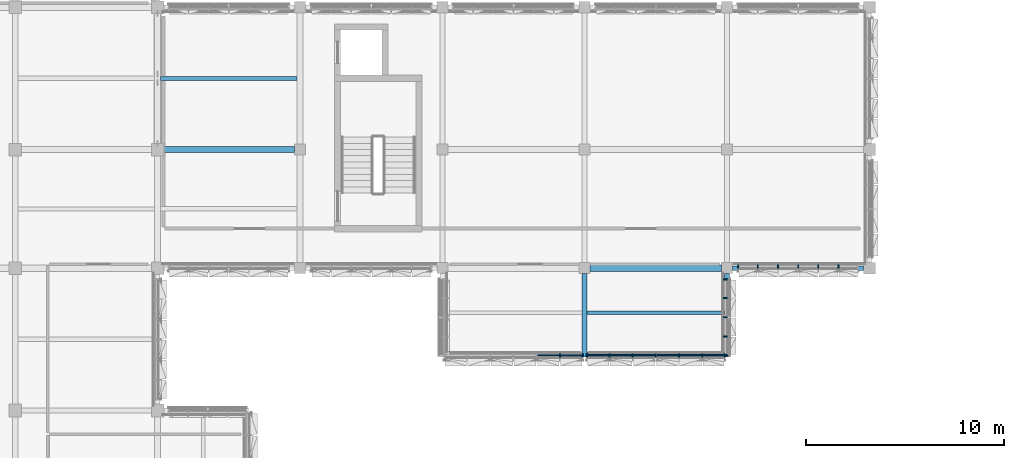
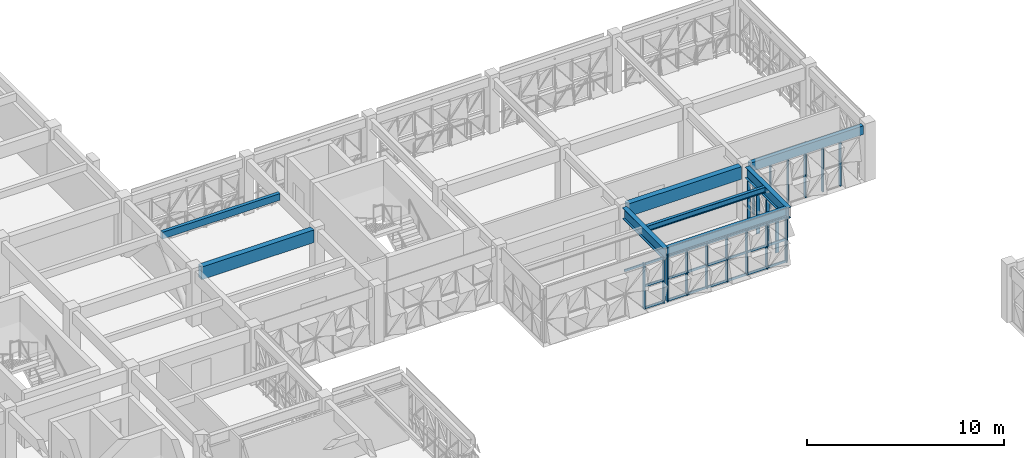
# One storey, part 9 of 85: 42 members, 8 beams, 4 elements without a shape of their own.
"""IFC4 building model written with IfcOpenShell, lengths in metres."""

from ifc_helpers import new_model, si_unit, direction, frame, origin, origin_2d, place, context, subcontext, project, spatial, rectangle, i_section, extrude, material, material_profile, profile_set, type_object, element, aggregate, save


model = new_model("IFC4")

# Units and contexts
model_context = context("Model", 3, precision=1e-05, world=origin(), true_north=direction((0.0, 1.0)))
body_context = subcontext(model_context, "Body", "Model", "MODEL_VIEW")
ifc_project = project(units=[si_unit("LENGTHUNIT", "METRE"), si_unit("AREAUNIT", "SQUARE_METRE"), si_unit("VOLUMEUNIT", "CUBIC_METRE"), si_unit("PLANEANGLEUNIT", "RADIAN"), si_unit("MASSUNIT", "GRAM", prefix="KILO")], contexts=[model_context])

# Site, building, storey
site_placement = place(None, origin())
site = spatial("IfcSite", under=ifc_project, at=site_placement, CompositionType="ELEMENT")
building_placement = place(site_placement, origin())
building = spatial("IfcBuilding", under=site, at=building_placement, Name="Alvorim Cloister Faculty of Sciences", CompositionType="ELEMENT")
storey_placement = place(building_placement, frame((0.0, 0.0, 8.550048828125)))
storey = spatial("IfcBuildingStorey", under=building, at=storey_placement, Name="L02", CompositionType="ELEMENT", Elevation=8.550048828125)

# Beams
ifc_material_1 = material(Name="Glulam GL32h", Category="wood")
ifc_material_profile_1 = material_profile(ifc_material_1, rectangle(XDim=0.320068359375, YDim=0.780029296875, at=origin_2d()), Name="GL32-BM-320x780")
ifc_profile_set_1 = profile_set([ifc_material_profile_1], Name="Glulam GL32h")
beam_type_1 = type_object("IfcBeamType", Name="BM-GL-320x780", PredefinedType="BEAM", material=ifc_profile_set_1)
beam_1_placement = place(storey_placement, frame((50.679931640625, 43.199951171875, 3.0), z_axis=(1.0, 0.0, 0.0), x_axis=(0.0, 1.0, 0.0)))
element("IfcBeam", 1, at=beam_1_placement, inside=storey, type_object=beam_type_1, Name="L02 Primary Beam BM-1295", PredefinedType="BEAM", context=body_context, shape_type="SweptSolid", body=[
    extrude(rectangle(XDim=0.320068359375, YDim=0.780029296875, at=origin_2d()), origin(), (0.0, 0.0, 1.0), 6.64013671875),
])
beam_2_placement = place(storey_placement, frame((29.1201171875, 49.199951171875, 3.0), z_axis=(1.0, 0.0, 0.0), x_axis=(0.0, 1.0, 0.0)))
element("IfcBeam", 2, at=beam_2_placement, inside=storey, type_object=beam_type_1, Name="L02 Primary Beam BM-1299", PredefinedType="BEAM", context=body_context, shape_type="SweptSolid", body=[
    extrude(rectangle(XDim=0.320068359375, YDim=0.780029296875, at=origin_2d()), origin(), (0.0, 0.0, 1.0), 6.599853515625),
])
ifc_material_2 = material(Name="Glulam GL28h", Category="wood")
ifc_material_profile_2 = material_profile(ifc_material_2, rectangle(XDim=0.199951171875, YDim=0.419921875, at=origin_2d()), Name="GL28-JST-200x420")
ifc_profile_set_2 = profile_set([ifc_material_profile_2], Name="Glulam GL28h")
beam_type_2 = type_object("IfcBeamType", Name="BM-JST-GL-200x420", PredefinedType="JOIST", material=ifc_profile_set_2)
beam_3_placement = place(storey_placement, frame((28.949951171875, 52.800048828125, 3.179931640625), z_axis=(1.0, 0.0, 0.0), x_axis=(0.0, 1.0, 0.0)))
element("IfcBeam", 3, at=beam_3_placement, inside=storey, type_object=beam_type_2, Name="L02 Secondary Floor Joist BM-1486", PredefinedType="JOIST", context=body_context, shape_type="SweptSolid", body=[
    extrude(rectangle(XDim=0.199951171875, YDim=0.419921875, at=origin_2d()), origin(), (0.0, 0.0, 1.0), 6.900146484375),
])
ifc_material_profile_3 = material_profile(ifc_material_2, rectangle(XDim=0.239990234375, YDim=0.5400390625, at=origin_2d()), Name="GL28-SPD-240x540")
ifc_profile_set_3 = profile_set([ifc_material_profile_3], Name="Glulam GL28h")
beam_type_3 = type_object("IfcBeamType", Name="BM-SPD-GL-240x540", PredefinedType="SPANDREL", material=ifc_profile_set_3)
beam_4_placement = place(storey_placement, frame((57.8798828125, 43.199951171875, 3.119873046875), z_axis=(1.0, 0.0, 0.0), x_axis=(0.0, 1.0, 0.0)))
element("IfcBeam", 4, at=beam_4_placement, inside=storey, type_object=beam_type_3, Name="L02 Primary Beam BM-1296", PredefinedType="SPANDREL", context=body_context, shape_type="SweptSolid", body=[
    extrude(rectangle(XDim=0.239990234375, YDim=0.5400390625, at=origin_2d()), origin(), (0.0, 0.0, 1.0), 6.6201171875),
])
ifc_material_3 = material(Name="Steel ASTM A572 Grade 50", Category="steel")
ifc_material_profile_4 = material_profile(ifc_material_3, i_section(OverallWidth=0.1708984375, OverallDepth=0.35498046875, WebThickness=0.007080078125, FlangeThickness=0.01171875, FilletRadius=0.012939453125, at=origin_2d()), Name="W360x51.0")
ifc_profile_set_4 = profile_set([ifc_material_profile_4], Name="Steel ASTM A572 Grade 50")
beam_type_4 = type_object("IfcBeamType", Name="BM-STL-W360", PredefinedType="JOIST", material=ifc_profile_set_4)
beam_5_placement = place(storey_placement, frame((50.510009765625, 40.949951171875, 3.21240234375), z_axis=(1.0, 0.0, 0.0), x_axis=(0.0, 1.0, 0.0)))
element("IfcBeam", 5, at=beam_5_placement, inside=storey, type_object=beam_type_4, Name="L02 Cantilever Deck Joist BM-0050", PredefinedType="JOIST", context=body_context, shape_type="SweptSolid", body=[
    extrude(i_section(OverallWidth=0.1708984375, OverallDepth=0.35498046875, WebThickness=0.007080078125, FlangeThickness=0.01171875, FilletRadius=0.012939453125, at=origin_2d()), origin(), (0.0, 0.0, 1.0), 6.97998046875),
])
ifc_material_profile_5 = material_profile(ifc_material_3, i_section(OverallWidth=0.208984375, OverallDepth=0.532958984375, WebThickness=0.01025390625, FlangeThickness=0.015625, FilletRadius=0.01611328125, at=origin_2d()), Name="W530x92.0")
ifc_profile_set_5 = profile_set([ifc_material_profile_5], Name="Steel ASTM A572 Grade 50")
beam_type_5 = type_object("IfcBeamType", Name="BM-STL-W530", PredefinedType="BEAM", material=ifc_profile_set_5)
beam_6_placement = place(storey_placement, frame((50.510009765625, 38.820068359375, 3.12353515625), z_axis=(1.0, 0.0, 0.0), x_axis=(0.0, 1.0, 0.0)))
element("IfcBeam", 6, at=beam_6_placement, inside=storey, type_object=beam_type_5, Name="L02 Cantilever Tip Header Girder BM-0049", PredefinedType="BEAM", context=body_context, shape_type="SweptSolid", body=[
    extrude(i_section(OverallWidth=0.208984375, OverallDepth=0.532958984375, WebThickness=0.01025390625, FlangeThickness=0.015625, FilletRadius=0.01611328125, at=origin_2d()), origin(), (0.0, 0.0, 1.0), 6.97998046875),
])
ifc_material_profile_6 = material_profile(ifc_material_3, i_section(OverallWidth=0.25390625, OverallDepth=0.68408203125, WebThickness=0.012451171875, FlangeThickness=0.01904296875, FilletRadius=0.01904296875, at=origin_2d()), Name="W690x140.0")
ifc_profile_set_6 = profile_set([ifc_material_profile_6], Name="Steel ASTM A572 Grade 50")
beam_type_6 = type_object("IfcBeamType", Name="BM-STL-W690", PredefinedType="BEAM", material=ifc_profile_set_6)
for number, where, z_axis, x_axis, name in (
    (7, (50.39990234375, 38.699951171875, 3.0478515625), (0.0, 1.0, 0.0), (-1.0, 0.0, 0.0), "L02 Cantilever Overhang Girder BM-0044"),
    (8, (57.60009765625, 38.699951171875, 3.0478515625), (0.0, 1.0, 0.0), (-1.0, 0.0, 0.0), "L02 Cantilever Overhang Girder BM-0046"),
):
    element("IfcBeam", number, at=place(storey_placement, frame(where, z_axis=z_axis, x_axis=x_axis)), inside=storey, type_object=beam_type_6, Name=name, PredefinedType="BEAM", context=body_context, shape_type="SweptSolid", body=[
        extrude(i_section(OverallWidth=0.25390625, OverallDepth=0.68408203125, WebThickness=0.012451171875, FlangeThickness=0.01904296875, FilletRadius=0.01904296875, at=origin_2d()), origin(), (0.0, 0.0, 1.0), 4.219970703125),
    ])

# Curtain wall, members
ifc_material_4 = material(Name="Aluminium and Low-E Glass Curtain Wall", Category="aluminium")
curtain_wall_type_1 = type_object("IfcCurtainWallType", Name="CW-TRI-6120x2850", PredefinedType="USERDEFINED", material=ifc_material_4)
curtain_wall_1_placement = place(storey_placement, origin())
curtain_wall_1 = element("IfcCurtainWall", 9, at=curtain_wall_1_placement, inside=storey, type_object=curtain_wall_type_1, Name="L02 Diagonal Cassette Curtain Wall CW-0063", ObjectType="UNITISED CURTAIN WALL", PredefinedType="USERDEFINED")
ifc_material_5 = material(Name="Aluminium Alloy 6063-T6", Category="aluminium")
ifc_material_profile_7 = material_profile(ifc_material_5, rectangle(XDim=0.06494140625, YDim=0.179931640625, at=origin_2d()), Name="ALU-MUL-65x180")
ifc_profile_set_7 = profile_set([ifc_material_profile_7], Name="Aluminium Alloy 6063-T6")
member_type_1 = type_object("IfcMemberType", Name="CW-MUL-65x180", PredefinedType="MULLION", material=ifc_profile_set_7)
member_1_placement = place(storey_placement, frame((58.172607421875, 43.2900390625, 0.0), z_axis=(0.0, 0.0, 1.0), x_axis=(1.0, 0.0, 0.0)))
member_1 = element("IfcMember", 10, at=member_1_placement, type_object=member_type_1, Name="CW-0063 Mullion 1", PredefinedType="MULLION", context=body_context, shape_type="SweptSolid", body=[
    extrude(rectangle(XDim=0.06494140625, YDim=0.179931640625, at=origin_2d()), origin(), (0.0, 0.0, 1.0), 2.849853515625),
])
member_2_placement = place(storey_placement, frame((59.159912109375, 43.2900390625, 0.0), z_axis=(0.0, 0.0, 1.0), x_axis=(1.0, 0.0, 0.0)))
member_2 = element("IfcMember", 11, at=member_2_placement, type_object=member_type_1, Name="CW-0063 Mullion 2", PredefinedType="MULLION", context=body_context, shape_type="SweptSolid", body=[
    extrude(rectangle(XDim=0.06494140625, YDim=0.179931640625, at=origin_2d()), origin(), (0.0, 0.0, 1.0), 2.849853515625),
])
member_3_placement = place(storey_placement, frame((60.179931640625, 43.2900390625, 0.0), z_axis=(0.0, 0.0, 1.0), x_axis=(1.0, 0.0, 0.0)))
member_3 = element("IfcMember", 12, at=member_3_placement, type_object=member_type_1, Name="CW-0063 Mullion 3", PredefinedType="MULLION", context=body_context, shape_type="SweptSolid", body=[
    extrude(rectangle(XDim=0.06494140625, YDim=0.179931640625, at=origin_2d()), origin(), (0.0, 0.0, 1.0), 2.849853515625),
])
member_4_placement = place(storey_placement, frame((61.199951171875, 43.2900390625, 0.0), z_axis=(0.0, 0.0, 1.0), x_axis=(1.0, 0.0, 0.0)))
member_4 = element("IfcMember", 13, at=member_4_placement, type_object=member_type_1, Name="CW-0063 Mullion 4", PredefinedType="MULLION", context=body_context, shape_type="SweptSolid", body=[
    extrude(rectangle(XDim=0.06494140625, YDim=0.179931640625, at=origin_2d()), origin(), (0.0, 0.0, 1.0), 2.849853515625),
])
member_5_placement = place(storey_placement, frame((62.219970703125, 43.2900390625, 0.0), z_axis=(0.0, 0.0, 1.0), x_axis=(1.0, 0.0, 0.0)))
member_5 = element("IfcMember", 14, at=member_5_placement, type_object=member_type_1, Name="CW-0063 Mullion 5", PredefinedType="MULLION", context=body_context, shape_type="SweptSolid", body=[
    extrude(rectangle(XDim=0.06494140625, YDim=0.179931640625, at=origin_2d()), origin(), (0.0, 0.0, 1.0), 2.849853515625),
])
member_6_placement = place(storey_placement, frame((63.239990234375, 43.2900390625, 0.0), z_axis=(0.0, 0.0, 1.0), x_axis=(1.0, 0.0, 0.0)))
member_6 = element("IfcMember", 15, at=member_6_placement, type_object=member_type_1, Name="CW-0063 Mullion 6", PredefinedType="MULLION", context=body_context, shape_type="SweptSolid", body=[
    extrude(rectangle(XDim=0.06494140625, YDim=0.179931640625, at=origin_2d()), origin(), (0.0, 0.0, 1.0), 2.849853515625),
])
aggregate(curtain_wall_1, [member_1, member_2, member_3, member_4, member_5, member_6])

curtain_wall_type_2 = type_object("IfcCurtainWallType", Name="CW-TRI-3880x2706", PredefinedType="USERDEFINED", material=ifc_material_4)
curtain_wall_2_placement = place(storey_placement, origin())
curtain_wall_2 = element("IfcCurtainWall", 16, at=curtain_wall_2_placement, inside=storey, type_object=curtain_wall_type_2, Name="L02 Diagonal Cassette Curtain Wall CW-0064", ObjectType="UNITISED CURTAIN WALL", PredefinedType="USERDEFINED")
member_7_placement = place(storey_placement, frame((57.510009765625, 38.8125, 0.0), z_axis=(0.0, 0.0, 1.0), x_axis=(0.0, 1.0, 0.0)))
member_7 = element("IfcMember", 17, at=member_7_placement, type_object=member_type_1, Name="CW-0064 Mullion 1", PredefinedType="MULLION", context=body_context, shape_type="SweptSolid", body=[
    extrude(rectangle(XDim=0.06494140625, YDim=0.179931640625, at=origin_2d()), origin(), (0.0, 0.0, 1.0), 2.7060546875),
])
member_8_placement = place(storey_placement, frame((57.510009765625, 39.75, 0.0), z_axis=(0.0, 0.0, 1.0), x_axis=(0.0, 1.0, 0.0)))
member_8 = element("IfcMember", 18, at=member_8_placement, type_object=member_type_1, Name="CW-0064 Mullion 2", PredefinedType="MULLION", context=body_context, shape_type="SweptSolid", body=[
    extrude(rectangle(XDim=0.06494140625, YDim=0.179931640625, at=origin_2d()), origin(), (0.0, 0.0, 1.0), 2.7060546875),
])
member_9_placement = place(storey_placement, frame((57.510009765625, 40.719970703125, 0.0), z_axis=(0.0, 0.0, 1.0), x_axis=(0.0, 1.0, 0.0)))
member_9 = element("IfcMember", 19, at=member_9_placement, type_object=member_type_1, Name="CW-0064 Mullion 3", PredefinedType="MULLION", context=body_context, shape_type="SweptSolid", body=[
    extrude(rectangle(XDim=0.06494140625, YDim=0.179931640625, at=origin_2d()), origin(), (0.0, 0.0, 1.0), 2.7060546875),
])
member_10_placement = place(storey_placement, frame((57.510009765625, 41.68994140625, 0.0), z_axis=(0.0, 0.0, 1.0), x_axis=(0.0, 1.0, 0.0)))
member_10 = element("IfcMember", 20, at=member_10_placement, type_object=member_type_1, Name="CW-0064 Mullion 4", PredefinedType="MULLION", context=body_context, shape_type="SweptSolid", body=[
    extrude(rectangle(XDim=0.06494140625, YDim=0.179931640625, at=origin_2d()), origin(), (0.0, 0.0, 1.0), 2.7060546875),
])
member_11_placement = place(storey_placement, frame((57.510009765625, 42.62744140625, 0.0), z_axis=(0.0, 0.0, 1.0), x_axis=(0.0, 1.0, 0.0)))
member_11 = element("IfcMember", 21, at=member_11_placement, type_object=member_type_1, Name="CW-0064 Mullion 5", PredefinedType="MULLION", context=body_context, shape_type="SweptSolid", body=[
    extrude(rectangle(XDim=0.06494140625, YDim=0.179931640625, at=origin_2d()), origin(), (0.0, 0.0, 1.0), 2.7060546875),
])
aggregate(curtain_wall_2, [member_7, member_8, member_9, member_10, member_11])

curtain_wall_type_3 = type_object("IfcCurtainWallType", Name="CW-TRI-7040x2857", PredefinedType="USERDEFINED", material=ifc_material_4)
curtain_wall_3_placement = place(storey_placement, origin())
curtain_wall_3 = element("IfcCurtainWall", 22, at=curtain_wall_3_placement, inside=storey, type_object=curtain_wall_type_3, Name="L02 Diagonal Cassette Curtain Wall CW-0065", ObjectType="UNITISED CURTAIN WALL", PredefinedType="USERDEFINED")
member_12_placement = place(storey_placement, frame((50.512451171875, 38.7900390625, 0.0), z_axis=(0.0, 0.0, 1.0), x_axis=(1.0, 0.0, 0.0)))
member_12 = element("IfcMember", 23, at=member_12_placement, type_object=member_type_1, Name="CW-0065 Mullion 1", PredefinedType="MULLION", context=body_context, shape_type="SweptSolid", body=[
    extrude(rectangle(XDim=0.06494140625, YDim=0.179931640625, at=origin_2d()), origin(), (0.0, 0.0, 1.0), 2.85693359375),
])
member_13_placement = place(storey_placement, frame((51.6533203125, 38.7900390625, 0.0), z_axis=(0.0, 0.0, 1.0), x_axis=(1.0, 0.0, 0.0)))
member_13 = element("IfcMember", 24, at=member_13_placement, type_object=member_type_1, Name="CW-0065 Mullion 2", PredefinedType="MULLION", context=body_context, shape_type="SweptSolid", body=[
    extrude(rectangle(XDim=0.06494140625, YDim=0.179931640625, at=origin_2d()), origin(), (0.0, 0.0, 1.0), 2.85693359375),
])
member_14_placement = place(storey_placement, frame((52.82666015625, 38.7900390625, 0.0), z_axis=(0.0, 0.0, 1.0), x_axis=(1.0, 0.0, 0.0)))
member_14 = element("IfcMember", 25, at=member_14_placement, type_object=member_type_1, Name="CW-0065 Mullion 3", PredefinedType="MULLION", context=body_context, shape_type="SweptSolid", body=[
    extrude(rectangle(XDim=0.06494140625, YDim=0.179931640625, at=origin_2d()), origin(), (0.0, 0.0, 1.0), 2.85693359375),
])
member_15_placement = place(storey_placement, frame((54.0, 38.7900390625, 0.0), z_axis=(0.0, 0.0, 1.0), x_axis=(1.0, 0.0, 0.0)))
member_15 = element("IfcMember", 26, at=member_15_placement, type_object=member_type_1, Name="CW-0065 Mullion 4", PredefinedType="MULLION", context=body_context, shape_type="SweptSolid", body=[
    extrude(rectangle(XDim=0.06494140625, YDim=0.179931640625, at=origin_2d()), origin(), (0.0, 0.0, 1.0), 2.85693359375),
])
member_16_placement = place(storey_placement, frame((55.17333984375, 38.7900390625, 0.0), z_axis=(0.0, 0.0, 1.0), x_axis=(1.0, 0.0, 0.0)))
member_16 = element("IfcMember", 27, at=member_16_placement, type_object=member_type_1, Name="CW-0065 Mullion 5", PredefinedType="MULLION", context=body_context, shape_type="SweptSolid", body=[
    extrude(rectangle(XDim=0.06494140625, YDim=0.179931640625, at=origin_2d()), origin(), (0.0, 0.0, 1.0), 2.85693359375),
])
member_17_placement = place(storey_placement, frame((56.3466796875, 38.7900390625, 0.0), z_axis=(0.0, 0.0, 1.0), x_axis=(1.0, 0.0, 0.0)))
member_17 = element("IfcMember", 28, at=member_17_placement, type_object=member_type_1, Name="CW-0065 Mullion 6", PredefinedType="MULLION", context=body_context, shape_type="SweptSolid", body=[
    extrude(rectangle(XDim=0.06494140625, YDim=0.179931640625, at=origin_2d()), origin(), (0.0, 0.0, 1.0), 2.85693359375),
])
member_18_placement = place(storey_placement, frame((57.487548828125, 38.7900390625, 0.0), z_axis=(0.0, 0.0, 1.0), x_axis=(1.0, 0.0, 0.0)))
member_18 = element("IfcMember", 29, at=member_18_placement, type_object=member_type_1, Name="CW-0065 Mullion 7", PredefinedType="MULLION", context=body_context, shape_type="SweptSolid", body=[
    extrude(rectangle(XDim=0.06494140625, YDim=0.179931640625, at=origin_2d()), origin(), (0.0, 0.0, 1.0), 2.85693359375),
])

curtain_wall_4_placement = place(storey_placement, origin())
curtain_wall_4 = element("IfcCurtainWall", 30, at=curtain_wall_4_placement, inside=storey, type_object=curtain_wall_type_3, Name="L02 Diagonal Cassette Curtain Wall CW-0066", ObjectType="UNITISED CURTAIN WALL", PredefinedType="USERDEFINED")
member_19_placement = place(storey_placement, frame((49.146728515625, 38.7900390625, 0.0), z_axis=(0.0, 0.0, 1.0), x_axis=(1.0, 0.0, 0.0)))
member_19 = element("IfcMember", 31, at=member_19_placement, type_object=member_type_1, Name="CW-0066 Mullion 6", PredefinedType="MULLION", context=body_context, shape_type="SweptSolid", body=[
    extrude(rectangle(XDim=0.06494140625, YDim=0.179931640625, at=origin_2d()), origin(), (0.0, 0.0, 1.0), 2.85693359375),
])
member_20_placement = place(storey_placement, frame((50.28759765625, 38.7900390625, 0.0), z_axis=(0.0, 0.0, 1.0), x_axis=(1.0, 0.0, 0.0)))
member_20 = element("IfcMember", 32, at=member_20_placement, type_object=member_type_1, Name="CW-0066 Mullion 7", PredefinedType="MULLION", context=body_context, shape_type="SweptSolid", body=[
    extrude(rectangle(XDim=0.06494140625, YDim=0.179931640625, at=origin_2d()), origin(), (0.0, 0.0, 1.0), 2.85693359375),
])

# Member
ifc_material_profile_8 = material_profile(ifc_material_5, rectangle(XDim=0.06494140625, YDim=0.139892578125, at=origin_2d()), Name="ALU-TRN-65x140")
ifc_profile_set_8 = profile_set([ifc_material_profile_8], Name="Aluminium Alloy 6063-T6")
member_type_2 = type_object("IfcMemberType", Name="CW-TRN-65x140", PredefinedType="USERDEFINED", material=ifc_profile_set_8)
member_21_placement = place(storey_placement, frame((50.544921875, 38.7900390625, 0.070068359375), z_axis=(1.0, 0.0, 0.0), x_axis=(0.0, 1.0, 0.0)))
member_21 = element("IfcMember", 33, at=member_21_placement, type_object=member_type_2, Name="CW-0065 Transom 1.1", ObjectType="TRANSOM", PredefinedType="USERDEFINED", context=body_context, shape_type="SweptSolid", body=[
    extrude(rectangle(XDim=0.06494140625, YDim=0.139892578125, at=origin_2d()), origin(), (0.0, 0.0, 1.0), 1.075927734375),
])

member_22_placement = place(storey_placement, frame((50.544921875, 38.7900390625, 1.428466796875), z_axis=(1.0, 0.0, 0.0), x_axis=(0.0, 1.0, 0.0)))
member_22 = element("IfcMember", 34, at=member_22_placement, type_object=member_type_2, Name="CW-0065 Transom 1.2", ObjectType="TRANSOM", PredefinedType="USERDEFINED", context=body_context, shape_type="SweptSolid", body=[
    extrude(rectangle(XDim=0.06494140625, YDim=0.139892578125, at=origin_2d()), origin(), (0.0, 0.0, 1.0), 1.075927734375),
])

member_23_placement = place(storey_placement, frame((50.544921875, 38.7900390625, 2.786865234375), z_axis=(1.0, 0.0, 0.0), x_axis=(0.0, 1.0, 0.0)))
member_23 = element("IfcMember", 35, at=member_23_placement, type_object=member_type_2, Name="CW-0065 Transom 1.3", ObjectType="TRANSOM", PredefinedType="USERDEFINED", context=body_context, shape_type="SweptSolid", body=[
    extrude(rectangle(XDim=0.06494140625, YDim=0.139892578125, at=origin_2d()), origin(), (0.0, 0.0, 1.0), 1.075927734375),
])

member_24_placement = place(storey_placement, frame((51.685791015625, 38.7900390625, 0.070068359375), z_axis=(1.0, 0.0, 0.0), x_axis=(0.0, 1.0, 0.0)))
member_24 = element("IfcMember", 36, at=member_24_placement, type_object=member_type_2, Name="CW-0065 Transom 2.1", ObjectType="TRANSOM", PredefinedType="USERDEFINED", context=body_context, shape_type="SweptSolid", body=[
    extrude(rectangle(XDim=0.06494140625, YDim=0.139892578125, at=origin_2d()), origin(), (0.0, 0.0, 1.0), 1.1083984375),
])

member_25_placement = place(storey_placement, frame((51.685791015625, 38.7900390625, 1.428466796875), z_axis=(1.0, 0.0, 0.0), x_axis=(0.0, 1.0, 0.0)))
member_25 = element("IfcMember", 37, at=member_25_placement, type_object=member_type_2, Name="CW-0065 Transom 2.2", ObjectType="TRANSOM", PredefinedType="USERDEFINED", context=body_context, shape_type="SweptSolid", body=[
    extrude(rectangle(XDim=0.06494140625, YDim=0.139892578125, at=origin_2d()), origin(), (0.0, 0.0, 1.0), 1.1083984375),
])

member_26_placement = place(storey_placement, frame((51.685791015625, 38.7900390625, 2.786865234375), z_axis=(1.0, 0.0, 0.0), x_axis=(0.0, 1.0, 0.0)))
member_26 = element("IfcMember", 38, at=member_26_placement, type_object=member_type_2, Name="CW-0065 Transom 2.3", ObjectType="TRANSOM", PredefinedType="USERDEFINED", context=body_context, shape_type="SweptSolid", body=[
    extrude(rectangle(XDim=0.06494140625, YDim=0.139892578125, at=origin_2d()), origin(), (0.0, 0.0, 1.0), 1.1083984375),
])

member_27_placement = place(storey_placement, frame((52.859130859375, 38.7900390625, 0.070068359375), z_axis=(1.0, 0.0, 0.0), x_axis=(0.0, 1.0, 0.0)))
member_27 = element("IfcMember", 39, at=member_27_placement, type_object=member_type_2, Name="CW-0065 Transom 3.1", ObjectType="TRANSOM", PredefinedType="USERDEFINED", context=body_context, shape_type="SweptSolid", body=[
    extrude(rectangle(XDim=0.06494140625, YDim=0.139892578125, at=origin_2d()), origin(), (0.0, 0.0, 1.0), 1.1083984375),
])

member_28_placement = place(storey_placement, frame((52.859130859375, 38.7900390625, 1.428466796875), z_axis=(1.0, 0.0, 0.0), x_axis=(0.0, 1.0, 0.0)))
member_28 = element("IfcMember", 40, at=member_28_placement, type_object=member_type_2, Name="CW-0065 Transom 3.2", ObjectType="TRANSOM", PredefinedType="USERDEFINED", context=body_context, shape_type="SweptSolid", body=[
    extrude(rectangle(XDim=0.06494140625, YDim=0.139892578125, at=origin_2d()), origin(), (0.0, 0.0, 1.0), 1.1083984375),
])

member_29_placement = place(storey_placement, frame((52.859130859375, 38.7900390625, 2.786865234375), z_axis=(1.0, 0.0, 0.0), x_axis=(0.0, 1.0, 0.0)))
member_29 = element("IfcMember", 41, at=member_29_placement, type_object=member_type_2, Name="CW-0065 Transom 3.3", ObjectType="TRANSOM", PredefinedType="USERDEFINED", context=body_context, shape_type="SweptSolid", body=[
    extrude(rectangle(XDim=0.06494140625, YDim=0.139892578125, at=origin_2d()), origin(), (0.0, 0.0, 1.0), 1.1083984375),
])

member_30_placement = place(storey_placement, frame((54.032470703125, 38.7900390625, 0.070068359375), z_axis=(1.0, 0.0, 0.0), x_axis=(0.0, 1.0, 0.0)))
member_30 = element("IfcMember", 42, at=member_30_placement, type_object=member_type_2, Name="CW-0065 Transom 4.1", ObjectType="TRANSOM", PredefinedType="USERDEFINED", context=body_context, shape_type="SweptSolid", body=[
    extrude(rectangle(XDim=0.06494140625, YDim=0.139892578125, at=origin_2d()), origin(), (0.0, 0.0, 1.0), 1.1083984375),
])

member_31_placement = place(storey_placement, frame((54.032470703125, 38.7900390625, 1.428466796875), z_axis=(1.0, 0.0, 0.0), x_axis=(0.0, 1.0, 0.0)))
member_31 = element("IfcMember", 43, at=member_31_placement, type_object=member_type_2, Name="CW-0065 Transom 4.2", ObjectType="TRANSOM", PredefinedType="USERDEFINED", context=body_context, shape_type="SweptSolid", body=[
    extrude(rectangle(XDim=0.06494140625, YDim=0.139892578125, at=origin_2d()), origin(), (0.0, 0.0, 1.0), 1.1083984375),
])

member_32_placement = place(storey_placement, frame((54.032470703125, 38.7900390625, 2.786865234375), z_axis=(1.0, 0.0, 0.0), x_axis=(0.0, 1.0, 0.0)))
member_32 = element("IfcMember", 44, at=member_32_placement, type_object=member_type_2, Name="CW-0065 Transom 4.3", ObjectType="TRANSOM", PredefinedType="USERDEFINED", context=body_context, shape_type="SweptSolid", body=[
    extrude(rectangle(XDim=0.06494140625, YDim=0.139892578125, at=origin_2d()), origin(), (0.0, 0.0, 1.0), 1.1083984375),
])

member_33_placement = place(storey_placement, frame((55.205810546875, 38.7900390625, 0.070068359375), z_axis=(1.0, 0.0, 0.0), x_axis=(0.0, 1.0, 0.0)))
member_33 = element("IfcMember", 45, at=member_33_placement, type_object=member_type_2, Name="CW-0065 Transom 5.1", ObjectType="TRANSOM", PredefinedType="USERDEFINED", context=body_context, shape_type="SweptSolid", body=[
    extrude(rectangle(XDim=0.06494140625, YDim=0.139892578125, at=origin_2d()), origin(), (0.0, 0.0, 1.0), 1.1083984375),
])

member_34_placement = place(storey_placement, frame((55.205810546875, 38.7900390625, 1.428466796875), z_axis=(1.0, 0.0, 0.0), x_axis=(0.0, 1.0, 0.0)))
member_34 = element("IfcMember", 46, at=member_34_placement, type_object=member_type_2, Name="CW-0065 Transom 5.2", ObjectType="TRANSOM", PredefinedType="USERDEFINED", context=body_context, shape_type="SweptSolid", body=[
    extrude(rectangle(XDim=0.06494140625, YDim=0.139892578125, at=origin_2d()), origin(), (0.0, 0.0, 1.0), 1.1083984375),
])

member_35_placement = place(storey_placement, frame((55.205810546875, 38.7900390625, 2.786865234375), z_axis=(1.0, 0.0, 0.0), x_axis=(0.0, 1.0, 0.0)))
member_35 = element("IfcMember", 47, at=member_35_placement, type_object=member_type_2, Name="CW-0065 Transom 5.3", ObjectType="TRANSOM", PredefinedType="USERDEFINED", context=body_context, shape_type="SweptSolid", body=[
    extrude(rectangle(XDim=0.06494140625, YDim=0.139892578125, at=origin_2d()), origin(), (0.0, 0.0, 1.0), 1.1083984375),
])

member_36_placement = place(storey_placement, frame((56.379150390625, 38.7900390625, 0.070068359375), z_axis=(1.0, 0.0, 0.0), x_axis=(0.0, 1.0, 0.0)))
member_36 = element("IfcMember", 48, at=member_36_placement, type_object=member_type_2, Name="CW-0065 Transom 6.1", ObjectType="TRANSOM", PredefinedType="USERDEFINED", context=body_context, shape_type="SweptSolid", body=[
    extrude(rectangle(XDim=0.06494140625, YDim=0.139892578125, at=origin_2d()), origin(), (0.0, 0.0, 1.0), 1.075927734375),
])

member_37_placement = place(storey_placement, frame((56.379150390625, 38.7900390625, 1.428466796875), z_axis=(1.0, 0.0, 0.0), x_axis=(0.0, 1.0, 0.0)))
member_37 = element("IfcMember", 49, at=member_37_placement, type_object=member_type_2, Name="CW-0065 Transom 6.2", ObjectType="TRANSOM", PredefinedType="USERDEFINED", context=body_context, shape_type="SweptSolid", body=[
    extrude(rectangle(XDim=0.06494140625, YDim=0.139892578125, at=origin_2d()), origin(), (0.0, 0.0, 1.0), 1.075927734375),
])

member_38_placement = place(storey_placement, frame((56.379150390625, 38.7900390625, 2.786865234375), z_axis=(1.0, 0.0, 0.0), x_axis=(0.0, 1.0, 0.0)))
member_38 = element("IfcMember", 50, at=member_38_placement, type_object=member_type_2, Name="CW-0065 Transom 6.3", ObjectType="TRANSOM", PredefinedType="USERDEFINED", context=body_context, shape_type="SweptSolid", body=[
    extrude(rectangle(XDim=0.06494140625, YDim=0.139892578125, at=origin_2d()), origin(), (0.0, 0.0, 1.0), 1.075927734375),
])

aggregate(curtain_wall_3, [member_12, member_13, member_14, member_15, member_16, member_17, member_18, member_21, member_22, member_23, member_24, member_25, member_26, member_27, member_28, member_29, member_30, member_31, member_32, member_33, member_34, member_35, member_36, member_37, member_38])

member_39_placement = place(storey_placement, frame((48.005859375, 38.7900390625, 2.786865234375), z_axis=(1.0, 0.0, 0.0), x_axis=(0.0, 1.0, 0.0)))
member_39 = element("IfcMember", 51, at=member_39_placement, type_object=member_type_2, Name="CW-0066 Transom 5.3", ObjectType="TRANSOM", PredefinedType="USERDEFINED", context=body_context, shape_type="SweptSolid", body=[
    extrude(rectangle(XDim=0.06494140625, YDim=0.139892578125, at=origin_2d()), origin(), (0.0, 0.0, 1.0), 1.1083984375),
])

member_40_placement = place(storey_placement, frame((49.17919921875, 38.7900390625, 0.070068359375), z_axis=(1.0, 0.0, 0.0), x_axis=(0.0, 1.0, 0.0)))
member_40 = element("IfcMember", 52, at=member_40_placement, type_object=member_type_2, Name="CW-0066 Transom 6.1", ObjectType="TRANSOM", PredefinedType="USERDEFINED", context=body_context, shape_type="SweptSolid", body=[
    extrude(rectangle(XDim=0.06494140625, YDim=0.139892578125, at=origin_2d()), origin(), (0.0, 0.0, 1.0), 1.07568359375),
])

member_41_placement = place(storey_placement, frame((49.17919921875, 38.7900390625, 1.428466796875), z_axis=(1.0, 0.0, 0.0), x_axis=(0.0, 1.0, 0.0)))
member_41 = element("IfcMember", 53, at=member_41_placement, type_object=member_type_2, Name="CW-0066 Transom 6.2", ObjectType="TRANSOM", PredefinedType="USERDEFINED", context=body_context, shape_type="SweptSolid", body=[
    extrude(rectangle(XDim=0.06494140625, YDim=0.139892578125, at=origin_2d()), origin(), (0.0, 0.0, 1.0), 1.07568359375),
])

member_42_placement = place(storey_placement, frame((49.17919921875, 38.7900390625, 2.786865234375), z_axis=(1.0, 0.0, 0.0), x_axis=(0.0, 1.0, 0.0)))
member_42 = element("IfcMember", 54, at=member_42_placement, type_object=member_type_2, Name="CW-0066 Transom 6.3", ObjectType="TRANSOM", PredefinedType="USERDEFINED", context=body_context, shape_type="SweptSolid", body=[
    extrude(rectangle(XDim=0.06494140625, YDim=0.139892578125, at=origin_2d()), origin(), (0.0, 0.0, 1.0), 1.07568359375),
])

aggregate(curtain_wall_4, [member_19, member_20, member_39, member_40, member_41, member_42])

save(model, "model.ifc")
